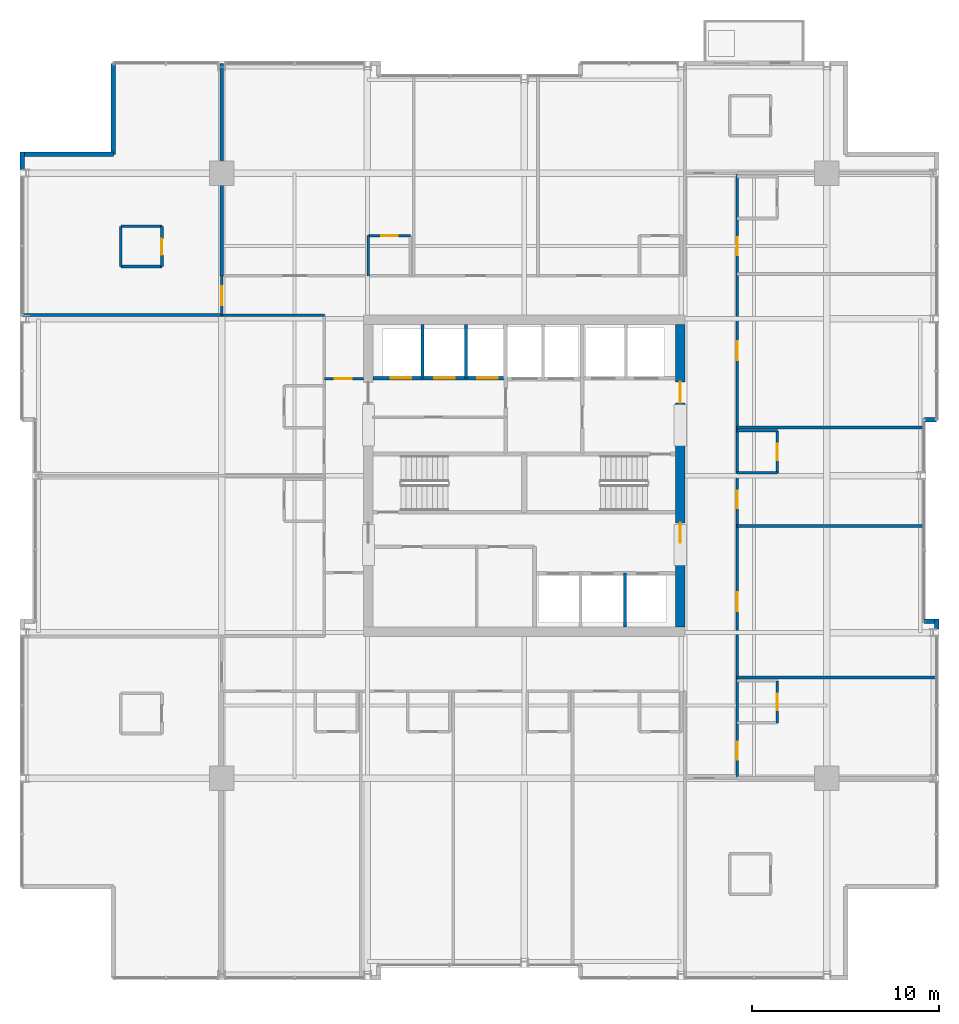
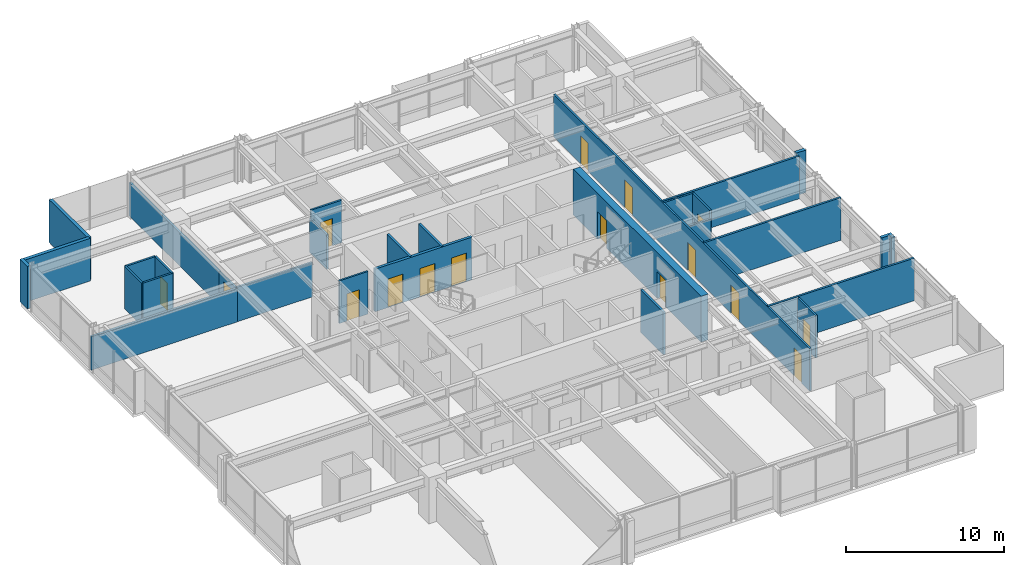
# One storey, part 29 of 33: 30 walls, 16 doors, 16 openings.
"""IFC4 building model written with IfcOpenShell, lengths in metres."""

from ifc_helpers import new_model, si_unit, direction, frame, frame_2d, origin, place, context, subcontext, project, spatial, rectangle, extrude, material, layer, layer_set, type_object, element, fill, save


model = new_model("IFC4")

# Units and contexts
model_context = context("Model", 3, precision=1e-05, world=origin(), true_north=direction((0.0, 1.0)))
body_context = subcontext(model_context, "Body", "Model", "MODEL_VIEW")
ifc_project = project(units=[si_unit("LENGTHUNIT", "METRE"), si_unit("AREAUNIT", "SQUARE_METRE"), si_unit("VOLUMEUNIT", "CUBIC_METRE"), si_unit("PLANEANGLEUNIT", "RADIAN"), si_unit("MASSUNIT", "GRAM", prefix="KILO")], contexts=[model_context])

# Site, building, storey
site_placement = place(None, origin())
site = spatial("IfcSite", under=ifc_project, at=site_placement, CompositionType="ELEMENT")
building_placement = place(site_placement, origin())
building = spatial("IfcBuilding", under=site, at=building_placement, Name="Drelvath Grand Hotel", CompositionType="ELEMENT")
storey_placement = place(building_placement, frame((0.0, 0.0, 178.800048828125)))
storey = spatial("IfcBuildingStorey", under=building, at=storey_placement, Name="L46", CompositionType="ELEMENT", Elevation=178.800048828125)

# Wall, openings, doors
ifc_material_1 = material(Name="Concrete C40/50", Category="concrete")
ifc_layer_1 = layer(ifc_material_1, 0.199951171875)
ifc_layer_set_1 = layer_set([ifc_layer_1], Name="Concrete C40/50")
wall_type_1 = type_object("IfcWallType", Name="Core Hoistway Fire Wall 200", PredefinedType="SOLIDWALL", material=ifc_layer_set_1)
wall_1_placement = place(storey_placement, frame((-8.10009765625, 32.219970703125, 0.0), z_axis=(0.0, 0.0, 1.0), x_axis=(1.0, 0.0, 0.0)))
wall_1 = element("IfcWall", 1, at=wall_1_placement, inside=storey, type_object=wall_type_1, Name="L46 Bank 3 Hoistway Wall", PredefinedType="SOLIDWALL", context=body_context, shape_type="SweptSolid", body=[
    extrude(rectangle(XDim=7.10009765625, YDim=0.199951171875, at=frame_2d((3.550048828125, 0.0))), origin(), (0.0, 0.0, 1.0), 3.2900390625),
])
opening_1_placement = place(wall_1_placement, frame((0.949951171875, 0.0, 0.0)))
opening_1 = element("IfcOpeningElement", 2, at=opening_1_placement, cuts=wall_1, Name="Opening LD-PE-7", PredefinedType="OPENING", context=body_context, shape_type="SweptSolid", body=[
    extrude(rectangle(XDim=1.10009765625, YDim=2.199951171875, at=frame_2d((0.550048828125, 1.10009765625))), frame((0.0, 0.10986328125, 0.0), z_axis=(0.0, -1.0, 0.0), x_axis=(1.0, 0.0, 0.0)), (0.0, 0.0, 1.0), 0.219970703125),
])
opening_2_placement = place(wall_1_placement, frame((3.27001953125, 0.0, 0.0)))
opening_2 = element("IfcOpeningElement", 3, at=opening_2_placement, cuts=wall_1, Name="Opening LD-PE-8", PredefinedType="OPENING", context=body_context, shape_type="SweptSolid", body=[
    extrude(rectangle(XDim=1.10009765625, YDim=2.199951171875, at=frame_2d((0.550048828125, 1.10009765625))), frame((0.0, 0.10986328125, 0.0), z_axis=(0.0, -1.0, 0.0), x_axis=(1.0, 0.0, 0.0)), (0.0, 0.0, 1.0), 0.219970703125),
])
opening_3_placement = place(wall_1_placement, frame((5.590087890625, 0.0, 0.0)))
opening_3 = element("IfcOpeningElement", 4, at=opening_3_placement, cuts=wall_1, Name="Opening LD-PE-9", PredefinedType="OPENING", context=body_context, shape_type="SweptSolid", body=[
    extrude(rectangle(XDim=1.10009765625, YDim=2.199951171875, at=frame_2d((0.550048828125, 1.10009765625))), frame((0.0, 0.10986328125, 0.0), z_axis=(0.0, -1.0, 0.0), x_axis=(1.0, 0.0, 0.0)), (0.0, 0.0, 1.0), 0.219970703125),
])
ifc_material_2 = material(Name="Stainless Steel S355", Category="steel")
door_type_1 = type_object("IfcDoorType", Name="Passenger Lift Sliding Landing Door 1100x2200", OperationType="NOTDEFINED", PredefinedType="DOOR", material=ifc_material_2)
door_1_placement = place(opening_1_placement, origin())
door_1 = element("IfcDoor", 5, at=door_1_placement, inside=storey, type_object=door_type_1, Name="L46 Lift PE-7 Landing Door", OperationType="SLIDING_TO_LEFT", OverallHeight=2.199951171875, OverallWidth=1.10009765625, PredefinedType="DOOR", context=body_context, shape_type="SweptSolid", body=[
    extrude(rectangle(XDim=1.10009765625, YDim=2.199951171875, at=frame_2d((0.550048828125, 1.10009765625))), frame((0.0, 0.02490234375, 0.0), z_axis=(0.0, -1.0, 0.0), x_axis=(1.0, 0.0, 0.0)), (0.0, 0.0, 1.0), 0.050048828125),
])
fill(opening_1, door_1)
door_2_placement = place(opening_2_placement, origin())
door_2 = element("IfcDoor", 6, at=door_2_placement, inside=storey, type_object=door_type_1, Name="L46 Lift PE-8 Landing Door", OperationType="SLIDING_TO_LEFT", OverallHeight=2.199951171875, OverallWidth=1.10009765625, PredefinedType="DOOR", context=body_context, shape_type="SweptSolid", body=[
    extrude(rectangle(XDim=1.10009765625, YDim=2.199951171875, at=frame_2d((0.550048828125, 1.10009765625))), frame((0.0, 0.02490234375, 0.0), z_axis=(0.0, -1.0, 0.0), x_axis=(1.0, 0.0, 0.0)), (0.0, 0.0, 1.0), 0.050048828125),
])
fill(opening_2, door_2)
door_3_placement = place(opening_3_placement, origin())
door_3 = element("IfcDoor", 7, at=door_3_placement, inside=storey, type_object=door_type_1, Name="L46 Lift PE-9 Landing Door", OperationType="SLIDING_TO_LEFT", OverallHeight=2.199951171875, OverallWidth=1.10009765625, PredefinedType="DOOR", context=body_context, shape_type="SweptSolid", body=[
    extrude(rectangle(XDim=1.10009765625, YDim=2.199951171875, at=frame_2d((0.550048828125, 1.10009765625))), frame((0.0, 0.02490234375, 0.0), z_axis=(0.0, -1.0, 0.0), x_axis=(1.0, 0.0, 0.0)), (0.0, 0.0, 1.0), 0.050048828125),
])
fill(opening_3, door_3)

# Walls
ifc_material_3 = material(Name="Gypsum Fireboard Partition")
ifc_layer_2 = layer(ifc_material_3, 0.1650390625)
ifc_layer_set_2 = layer_set([ifc_layer_2], Name="Gypsum Fireboard Partition")
wall_type_2 = type_object("IfcWallType", Name="Core Shaft Partition 165", PredefinedType="PARTITIONING", material=ifc_layer_set_2)
for number, where, z_axis, x_axis, name in (
    (8, (-5.43994140625, 32.219970703125, 0.0), (0.0, 0.0, 1.0), (0.0, 1.0, 0.0), "L46 Lift PE-7/8 Divider"),
    (9, (-3.1201171875, 32.219970703125, 0.0), (0.0, 0.0, 1.0), (0.0, 1.0, 0.0), "L46 Lift PE-8/9 Divider"),
    (10, (5.39990234375, 18.89990234375, 0.0), (0.0, 0.0, 1.0), (0.0, 1.0, 0.0), "L46 Lift PE-5/6 Divider"),
):
    element("IfcWall", number, at=place(storey_placement, frame(where, z_axis=z_axis, x_axis=x_axis)), inside=storey, type_object=wall_type_2, Name=name, PredefinedType="PARTITIONING", context=body_context, shape_type="SweptSolid", body=[
        extrude(rectangle(XDim=2.880126953125, YDim=0.1650390625, at=frame_2d((1.43994140625, 0.0))), origin(), (0.0, 0.0, 1.0), 3.2900390625),
    ])

# Wall, opening, door
ifc_layer_3 = layer(ifc_material_3, 0.135009765625)
ifc_layer_set_3 = layer_set([ifc_layer_3], Name="Gypsum Fireboard Partition")
wall_type_3 = type_object("IfcWallType", Name="Corridor Fire Barrier Wall 135", PredefinedType="PARTITIONING", material=ifc_layer_set_3)
wall_2_placement = place(storey_placement, frame((-10.699951171875, 32.199951171875, 0.0), z_axis=(0.0, 0.0, 1.0), x_axis=(1.0, 0.0, 0.0)))
wall_2 = element("IfcWall", 11, at=wall_2_placement, inside=storey, type_object=wall_type_3, Name="L46 West Foyer North Wall", PredefinedType="PARTITIONING", context=body_context, shape_type="SweptSolid", body=[
    extrude(rectangle(XDim=2.099853515625, YDim=0.135009765625, at=frame_2d((1.0498046875, 0.0))), origin(), (0.0, 0.0, 1.0), 3.2900390625),
])
opening_4_placement = place(wall_2_placement, frame((0.550048828125, 0.0, 0.0)))
opening_4 = element("IfcOpeningElement", 12, at=opening_4_placement, cuts=wall_2, Name="Opening D-T3G3-023", PredefinedType="OPENING", context=body_context, shape_type="SweptSolid", body=[
    extrude(rectangle(XDim=0.919921875, YDim=2.10009765625, at=frame_2d((0.4599609375, 1.050048828125))), frame((0.0, 0.077392578125, 0.0), z_axis=(0.0, -1.0, 0.0), x_axis=(1.0, 0.0, 0.0)), (0.0, 0.0, 1.0), 0.155029296875),
])
ifc_material_4 = material(Name="Painted Steel S275", Category="steel")
door_type_2 = type_object("IfcDoorType", Name="Staff Utility Door 920x2100", OperationType="NOTDEFINED", PredefinedType="DOOR", material=ifc_material_4)
door_4_placement = place(opening_4_placement, origin())
door_4 = element("IfcDoor", 13, at=door_4_placement, inside=storey, type_object=door_type_2, Name="L46 West Pantry Door", OperationType="SINGLE_SWING_LEFT", OverallHeight=2.10009765625, OverallWidth=0.919921875, PredefinedType="DOOR", context=body_context, shape_type="SweptSolid", body=[
    extrude(rectangle(XDim=0.919921875, YDim=2.10009765625, at=frame_2d((0.4599609375, 1.050048828125))), frame((0.0, 0.02490234375, 0.0), z_axis=(0.0, -1.0, 0.0), x_axis=(1.0, 0.0, 0.0)), (0.0, 0.0, 1.0), 0.050048828125),
])
fill(opening_4, door_4)

# Wall
wall_3_placement = place(storey_placement, frame((-16.199951171875, 35.60009765625, 0.0), z_axis=(0.0, 0.0, 1.0), x_axis=(1.0, 0.0, 0.0)))
element("IfcWall", 14, at=wall_3_placement, inside=storey, type_object=wall_type_3, Name="L46 NW Stub South Wall", PredefinedType="PARTITIONING", context=body_context, shape_type="SweptSolid", body=[
    extrude(rectangle(XDim=5.5, YDim=0.135009765625, at=frame_2d((2.75, 0.0))), origin(), (0.0, 0.0, 1.0), 2.667236328125),
])

# Wall, openings, doors
wall_4_placement = place(storey_placement, frame((11.39990234375, 10.800048828125, 0.0), z_axis=(0.0, 0.0, 1.0), x_axis=(0.0, 1.0, 0.0)))
wall_4 = element("IfcWall", 15, at=wall_4_placement, inside=storey, type_object=wall_type_3, Name="L46 East Spine Corridor Wall", PredefinedType="PARTITIONING", context=body_context, shape_type="SweptSolid", body=[
    extrude(rectangle(XDim=32.39990234375, YDim=0.135009765625, at=frame_2d((16.199951171875, 0.0))), origin(), (0.0, 0.0, 1.0), 3.2900390625),
])
opening_5_placement = place(wall_4_placement, frame((1.0048828125, 0.0, 0.0)))
opening_5 = element("IfcOpeningElement", 16, at=opening_5_placement, cuts=wall_4, Name="Opening D-T3G3-046", PredefinedType="OPENING", context=body_context, shape_type="SweptSolid", body=[
    extrude(rectangle(XDim=0.9599609375, YDim=2.14990234375, at=frame_2d((0.47998046875, 1.074951171875))), frame((0.0, 0.077392578125, 0.0), z_axis=(0.0, -1.0, 0.0), x_axis=(1.0, 0.0, 0.0)), (0.0, 0.0, 1.0), 0.155029296875),
])
opening_6_placement = place(wall_4_placement, frame((8.93994140625, 0.0, 0.0)))
opening_6 = element("IfcOpeningElement", 17, at=opening_6_placement, cuts=wall_4, Name="Opening D-T3G3-047", PredefinedType="OPENING", context=body_context, shape_type="SweptSolid", body=[
    extrude(rectangle(XDim=1.02001953125, YDim=2.14990234375, at=frame_2d((0.510009765625, 1.074951171875))), frame((0.0, 0.077392578125, 0.0), z_axis=(0.0, -1.0, 0.0), x_axis=(1.0, 0.0, 0.0)), (0.0, 0.0, 1.0), 0.155029296875),
])
opening_7_placement = place(wall_4_placement, frame((14.445068359375, 0.0, 0.0)))
opening_7 = element("IfcOpeningElement", 18, at=opening_7_placement, cuts=wall_4, Name="Opening D-T3G3-049", PredefinedType="OPENING", context=body_context, shape_type="SweptSolid", body=[
    extrude(rectangle(XDim=0.9599609375, YDim=2.14990234375, at=frame_2d((0.47998046875, 1.074951171875))), frame((0.0, 0.077392578125, 0.0), z_axis=(0.0, -1.0, 0.0), x_axis=(1.0, 0.0, 0.0)), (0.0, 0.0, 1.0), 0.155029296875),
])
opening_8_placement = place(wall_4_placement, frame((22.3798828125, 0.0, 0.0)))
opening_8 = element("IfcOpeningElement", 19, at=opening_8_placement, cuts=wall_4, Name="Opening D-T3G3-050", PredefinedType="OPENING", context=body_context, shape_type="SweptSolid", body=[
    extrude(rectangle(XDim=1.02001953125, YDim=2.14990234375, at=frame_2d((0.510009765625, 1.074951171875))), frame((0.0, 0.077392578125, 0.0), z_axis=(0.0, -1.0, 0.0), x_axis=(1.0, 0.0, 0.0)), (0.0, 0.0, 1.0), 0.155029296875),
])
opening_9_placement = place(wall_4_placement, frame((28.0048828125, 0.0, 0.0)))
opening_9 = element("IfcOpeningElement", 20, at=opening_9_placement, cuts=wall_4, Name="Opening D-T3G3-052", PredefinedType="OPENING", context=body_context, shape_type="SweptSolid", body=[
    extrude(rectangle(XDim=0.9599609375, YDim=2.14990234375, at=frame_2d((0.47998046875, 1.074951171875))), frame((0.0, 0.077392578125, 0.0), z_axis=(0.0, -1.0, 0.0), x_axis=(1.0, 0.0, 0.0)), (0.0, 0.0, 1.0), 0.155029296875),
])
ifc_material_5 = material(Name="Hardwood Walnut Timber", Category="wood")
door_type_3 = type_object("IfcDoorType", Name="Amenity Meeting Fire Door 1020x2150", OperationType="NOTDEFINED", PredefinedType="DOOR", material=ifc_material_5)
door_5_placement = place(opening_6_placement, origin())
door_5 = element("IfcDoor", 21, at=door_5_placement, inside=storey, type_object=door_type_3, Name="L46 Private Study Room Entry Door", OperationType="SINGLE_SWING_LEFT", OverallHeight=2.14990234375, OverallWidth=1.02001953125, PredefinedType="DOOR", context=body_context, shape_type="SweptSolid", body=[
    extrude(rectangle(XDim=1.02001953125, YDim=2.14990234375, at=frame_2d((0.510009765625, 1.074951171875))), frame((0.0, 0.02490234375, 0.0), z_axis=(0.0, -1.0, 0.0), x_axis=(1.0, 0.0, 0.0)), (0.0, 0.0, 1.0), 0.050048828125),
])
fill(opening_6, door_5)
door_6_placement = place(opening_8_placement, origin())
door_6 = element("IfcDoor", 22, at=door_6_placement, inside=storey, type_object=door_type_3, Name="L46 Guest Relations Office Entry Door", OperationType="SINGLE_SWING_RIGHT", OverallHeight=2.14990234375, OverallWidth=1.02001953125, PredefinedType="DOOR", context=body_context, shape_type="SweptSolid", body=[
    extrude(rectangle(XDim=1.02001953125, YDim=2.14990234375, at=frame_2d((0.510009765625, 1.074951171875))), frame((0.0, 0.02490234375, 0.0), z_axis=(0.0, -1.0, 0.0), x_axis=(1.0, 0.0, 0.0)), (0.0, 0.0, 1.0), 0.050048828125),
])
fill(opening_8, door_6)
door_type_4 = type_object("IfcDoorType", Name="Guestroom Entrance Fire Door 960x2150", OperationType="NOTDEFINED", PredefinedType="DOOR", material=ifc_material_5)
door_7_placement = place(opening_5_placement, origin())
door_7 = element("IfcDoor", 23, at=door_7_placement, inside=storey, type_object=door_type_4, Name="L46 King Guest Room Entry Door", OperationType="SINGLE_SWING_RIGHT", OverallHeight=2.14990234375, OverallWidth=0.9599609375, PredefinedType="DOOR", context=body_context, shape_type="SweptSolid", body=[
    extrude(rectangle(XDim=0.9599609375, YDim=2.14990234375, at=frame_2d((0.47998046875, 1.074951171875))), frame((0.0, 0.02490234375, 0.0), z_axis=(0.0, -1.0, 0.0), x_axis=(1.0, 0.0, 0.0)), (0.0, 0.0, 1.0), 0.050048828125),
])
fill(opening_5, door_7)
door_8_placement = place(opening_7_placement, origin())
door_8 = element("IfcDoor", 24, at=door_8_placement, inside=storey, type_object=door_type_4, Name="L46 King Guest Room Entry Door", OperationType="SINGLE_SWING_LEFT", OverallHeight=2.14990234375, OverallWidth=0.9599609375, PredefinedType="DOOR", context=body_context, shape_type="SweptSolid", body=[
    extrude(rectangle(XDim=0.9599609375, YDim=2.14990234375, at=frame_2d((0.47998046875, 1.074951171875))), frame((0.0, 0.02490234375, 0.0), z_axis=(0.0, -1.0, 0.0), x_axis=(1.0, 0.0, 0.0)), (0.0, 0.0, 1.0), 0.050048828125),
])
fill(opening_7, door_8)
door_9_placement = place(opening_9_placement, origin())
door_9 = element("IfcDoor", 25, at=door_9_placement, inside=storey, type_object=door_type_4, Name="L46 King Guest Room Entry Door", OperationType="SINGLE_SWING_RIGHT", OverallHeight=2.14990234375, OverallWidth=0.9599609375, PredefinedType="DOOR", context=body_context, shape_type="SweptSolid", body=[
    extrude(rectangle(XDim=0.9599609375, YDim=2.14990234375, at=frame_2d((0.47998046875, 1.074951171875))), frame((0.0, 0.02490234375, 0.0), z_axis=(0.0, -1.0, 0.0), x_axis=(1.0, 0.0, 0.0)), (0.0, 0.0, 1.0), 0.050048828125),
])
fill(opening_9, door_9)

# Wall, opening, door
wall_5_placement = place(storey_placement, frame((-16.199951171875, 35.60009765625, 0.0), z_axis=(0.0, 0.0, 1.0), x_axis=(0.0, 1.0, 0.0)))
wall_5 = element("IfcWall", 26, at=wall_5_placement, inside=storey, type_object=wall_type_3, Name="L46 North Stub West End", PredefinedType="PARTITIONING", context=body_context, shape_type="SweptSolid", body=[
    extrude(rectangle(XDim=2.099853515625, YDim=0.135009765625, at=frame_2d((1.0498046875, 0.0))), origin(), (0.0, 0.0, 1.0), 2.57958984375),
])
opening_10_placement = place(wall_5_placement, frame((0.52001953125, 0.0, 0.0)))
opening_10 = element("IfcOpeningElement", 27, at=opening_10_placement, cuts=wall_5, Name="Opening D-T3G3-027", PredefinedType="OPENING", context=body_context, shape_type="SweptSolid", body=[
    extrude(rectangle(XDim=1.02001953125, YDim=2.14990234375, at=frame_2d((0.510009765625, 1.074951171875))), frame((0.0, 0.077392578125, 0.0), z_axis=(0.0, -1.0, 0.0), x_axis=(1.0, 0.0, 0.0)), (0.0, 0.0, 1.0), 0.155029296875),
])
door_10_placement = place(opening_10_placement, origin())
door_10 = element("IfcDoor", 28, at=door_10_placement, inside=storey, type_object=door_type_3, Name="L46 Executive Suite Entry Door", OperationType="SINGLE_SWING_LEFT", OverallHeight=2.14990234375, OverallWidth=1.02001953125, PredefinedType="DOOR", context=body_context, shape_type="SweptSolid", body=[
    extrude(rectangle(XDim=1.02001953125, YDim=2.14990234375, at=frame_2d((0.510009765625, 1.074951171875))), frame((0.0, 0.02490234375, 0.0), z_axis=(0.0, -1.0, 0.0), x_axis=(1.0, 0.0, 0.0)), (0.0, 0.0, 1.0), 0.050048828125),
])
fill(opening_10, door_10)

# Walls
ifc_material_6 = material(Name="Moisture-Resistant Gypsum Board")
ifc_layer_4 = layer(ifc_material_6, 0.139892578125)
ifc_layer_set_4 = layer_set([ifc_layer_4], Name="Moisture-Resistant Gypsum Board")
wall_type_4 = type_object("IfcWallType", Name="En-Suite Plumbing Wall 140", PredefinedType="PLUMBINGWALL", material=ifc_layer_set_4)
for number, where, z_axis, x_axis, name in (
    (29, (-21.60009765625, 38.199951171875, 0.0), (0.0, 0.0, 1.0), (1.0, 0.0, 0.0), "L46 Corner En-Suite South"),
    (30, (-21.60009765625, 40.35009765625, 0.0), (0.0, 0.0, 1.0), (1.0, 0.0, 0.0), "L46 Corner En-Suite North"),
):
    element("IfcWall", number, at=place(storey_placement, frame(where, z_axis=z_axis, x_axis=x_axis)), inside=storey, type_object=wall_type_4, Name=name, PredefinedType="PLUMBINGWALL", context=body_context, shape_type="SweptSolid", body=[
        extrude(rectangle(XDim=2.2001953125, YDim=0.139892578125, at=frame_2d((1.10009765625, 0.0))), origin(), (0.0, 0.0, 1.0), 3.2900390625),
    ])
wall_6_placement = place(storey_placement, frame((-21.60009765625, 38.199951171875, 0.0), z_axis=(0.0, 0.0, 1.0), x_axis=(0.0, 1.0, 0.0)))
element("IfcWall", 31, at=wall_6_placement, inside=storey, type_object=wall_type_4, Name="L46 Corner En-Suite West", PredefinedType="PLUMBINGWALL", context=body_context, shape_type="SweptSolid", body=[
    extrude(rectangle(XDim=2.150146484375, YDim=0.139892578125, at=frame_2d((1.0751953125, 0.0))), origin(), (0.0, 0.0, 1.0), 3.2900390625),
])

# Wall, opening, door
wall_7_placement = place(storey_placement, frame((-19.39990234375, 38.199951171875, 0.0), z_axis=(0.0, 0.0, 1.0), x_axis=(0.0, 1.0, 0.0)))
wall_7 = element("IfcWall", 32, at=wall_7_placement, inside=storey, type_object=wall_type_4, Name="L46 Corner En-Suite East", PredefinedType="PLUMBINGWALL", context=body_context, shape_type="SweptSolid", body=[
    extrude(rectangle(XDim=2.150146484375, YDim=0.139892578125, at=frame_2d((1.0751953125, 0.0))), origin(), (0.0, 0.0, 1.0), 3.2900390625),
])
opening_11_placement = place(wall_7_placement, frame((0.6201171875, 0.0, 0.0)))
opening_11 = element("IfcOpeningElement", 33, at=opening_11_placement, cuts=wall_7, Name="Opening D-T3G3-026", PredefinedType="OPENING", context=body_context, shape_type="SweptSolid", body=[
    extrude(rectangle(XDim=0.8798828125, YDim=2.10009765625, at=frame_2d((0.43994140625, 1.050048828125))), frame((0.0, 0.079833984375, 0.0), z_axis=(0.0, -1.0, 0.0), x_axis=(1.0, 0.0, 0.0)), (0.0, 0.0, 1.0), 0.159912109375),
])
door_type_5 = type_object("IfcDoorType", Name="En-Suite Bathroom Door 880x2100", OperationType="NOTDEFINED", PredefinedType="DOOR", material=ifc_material_5)
door_11_placement = place(opening_11_placement, origin())
door_11 = element("IfcDoor", 34, at=door_11_placement, inside=storey, type_object=door_type_5, Name="L46 Corner En-Suite Door", OperationType="SINGLE_SWING_RIGHT", OverallHeight=2.10009765625, OverallWidth=0.8798828125, PredefinedType="DOOR", context=body_context, shape_type="SweptSolid", body=[
    extrude(rectangle(XDim=0.8798828125, YDim=2.10009765625, at=frame_2d((0.43994140625, 1.050048828125))), frame((0.0, 0.02490234375, 0.0), z_axis=(0.0, -1.0, 0.0), x_axis=(1.0, 0.0, 0.0)), (0.0, 0.0, 1.0), 0.050048828125),
])
fill(opening_11, door_11)

# Wall
wall_8_placement = place(storey_placement, frame((-8.34716796875, 37.699951171875, 0.0), z_axis=(0.0, 0.0, 1.0), x_axis=(0.0, 1.0, 0.0)))
element("IfcWall", 35, at=wall_8_placement, inside=storey, type_object=wall_type_4, Name="L46 En-Suite Left Wall", PredefinedType="PLUMBINGWALL", context=body_context, shape_type="SweptSolid", body=[
    extrude(rectangle(XDim=2.150146484375, YDim=0.139892578125, at=frame_2d((1.0751953125, 0.0))), origin(), (0.0, 0.0, 1.0), 2.667236328125),
])

# Wall, opening, door
wall_9_placement = place(storey_placement, frame((-8.34716796875, 39.85009765625, 0.0), z_axis=(0.0, 0.0, 1.0), x_axis=(1.0, 0.0, 0.0)))
wall_9 = element("IfcWall", 36, at=wall_9_placement, inside=storey, type_object=wall_type_4, Name="L46 En-Suite Front Wall", PredefinedType="PLUMBINGWALL", context=body_context, shape_type="SweptSolid", body=[
    extrude(rectangle(XDim=2.25, YDim=0.139892578125, at=frame_2d((1.125, 0.0))), origin(), (0.0, 0.0, 1.0), 3.2900390625),
])
opening_12_placement = place(wall_9_placement, frame((0.68505859375, 0.0, 0.0)))
opening_12 = element("IfcOpeningElement", 37, at=opening_12_placement, cuts=wall_9, Name="Opening D-T3G3-040", PredefinedType="OPENING", context=body_context, shape_type="SweptSolid", body=[
    extrude(rectangle(XDim=0.8798828125, YDim=2.10009765625, at=frame_2d((0.43994140625, 1.050048828125))), frame((0.0, 0.079833984375, 0.0), z_axis=(0.0, -1.0, 0.0), x_axis=(1.0, 0.0, 0.0)), (0.0, 0.0, 1.0), 0.159912109375),
])
door_12_placement = place(opening_12_placement, origin())
door_12 = element("IfcDoor", 38, at=door_12_placement, inside=storey, type_object=door_type_5, Name="L46 En-Suite Bathroom Door", OperationType="SINGLE_SWING_RIGHT", OverallHeight=2.10009765625, OverallWidth=0.8798828125, PredefinedType="DOOR", context=body_context, shape_type="SweptSolid", body=[
    extrude(rectangle(XDim=0.8798828125, YDim=2.10009765625, at=frame_2d((0.43994140625, 1.050048828125))), frame((0.0, 0.02490234375, 0.0), z_axis=(0.0, -1.0, 0.0), x_axis=(1.0, 0.0, 0.0)), (0.0, 0.0, 1.0), 0.050048828125),
])
fill(opening_12, door_12)

wall_10_placement = place(storey_placement, frame((13.550048828125, 13.77001953125, 0.0), z_axis=(0.0, 0.0, 1.0), x_axis=(0.0, 1.0, 0.0)))
wall_10 = element("IfcWall", 39, at=wall_10_placement, inside=storey, type_object=wall_type_4, Name="L46 En-Suite Front Wall", PredefinedType="PLUMBINGWALL", context=body_context, shape_type="SweptSolid", body=[
    extrude(rectangle(XDim=2.25, YDim=0.139892578125, at=frame_2d((1.125, 0.0))), origin(), (0.0, 0.0, 1.0), 3.2900390625),
])
opening_13_placement = place(wall_10_placement, frame((0.68505859375, 0.0, 0.0)))
opening_13 = element("IfcOpeningElement", 40, at=opening_13_placement, cuts=wall_10, Name="Opening D-T3G3-045", PredefinedType="OPENING", context=body_context, shape_type="SweptSolid", body=[
    extrude(rectangle(XDim=0.8798828125, YDim=2.10009765625, at=frame_2d((0.43994140625, 1.050048828125))), frame((0.0, 0.079833984375, 0.0), z_axis=(0.0, -1.0, 0.0), x_axis=(1.0, 0.0, 0.0)), (0.0, 0.0, 1.0), 0.159912109375),
])
door_13_placement = place(opening_13_placement, origin())
door_13 = element("IfcDoor", 41, at=door_13_placement, inside=storey, type_object=door_type_5, Name="L46 En-Suite Bathroom Door", OperationType="SINGLE_SWING_LEFT", OverallHeight=2.10009765625, OverallWidth=0.8798828125, PredefinedType="DOOR", context=body_context, shape_type="SweptSolid", body=[
    extrude(rectangle(XDim=0.8798828125, YDim=2.10009765625, at=frame_2d((0.43994140625, 1.050048828125))), frame((0.0, 0.02490234375, 0.0), z_axis=(0.0, -1.0, 0.0), x_axis=(1.0, 0.0, 0.0)), (0.0, 0.0, 1.0), 0.050048828125),
])
fill(opening_13, door_13)

# Walls
wall_11_placement = place(storey_placement, frame((11.39990234375, 27.14990234375, 0.0), z_axis=(0.0, 0.0, 1.0), x_axis=(1.0, 0.0, 0.0)))
element("IfcWall", 42, at=wall_11_placement, inside=storey, type_object=wall_type_4, Name="L46 En-Suite Left Wall", PredefinedType="PLUMBINGWALL", context=body_context, shape_type="SweptSolid", body=[
    extrude(rectangle(XDim=2.150146484375, YDim=0.139892578125, at=frame_2d((1.0751953125, 0.0))), origin(), (0.0, 0.0, 1.0), 2.667236328125),
])
wall_12_placement = place(storey_placement, frame((11.39990234375, 29.39990234375, 0.0), z_axis=(0.0, 0.0, 1.0), x_axis=(1.0, 0.0, 0.0)))
element("IfcWall", 43, at=wall_12_placement, inside=storey, type_object=wall_type_4, Name="L46 En-Suite Right Wall", PredefinedType="PLUMBINGWALL", context=body_context, shape_type="SweptSolid", body=[
    extrude(rectangle(XDim=2.150146484375, YDim=0.139892578125, at=frame_2d((1.0751953125, 0.0))), origin(), (0.0, 0.0, 1.0), 3.2900390625),
])

# Wall, opening, door
wall_13_placement = place(storey_placement, frame((13.550048828125, 27.14990234375, 0.0), z_axis=(0.0, 0.0, 1.0), x_axis=(0.0, 1.0, 0.0)))
wall_13 = element("IfcWall", 44, at=wall_13_placement, inside=storey, type_object=wall_type_4, Name="L46 En-Suite Front Wall", PredefinedType="PLUMBINGWALL", context=body_context, shape_type="SweptSolid", body=[
    extrude(rectangle(XDim=2.25, YDim=0.139892578125, at=frame_2d((1.125, 0.0))), origin(), (0.0, 0.0, 1.0), 3.2900390625),
])
opening_14_placement = place(wall_13_placement, frame((0.68505859375, 0.0, 0.0)))
opening_14 = element("IfcOpeningElement", 45, at=opening_14_placement, cuts=wall_13, Name="Opening D-T3G3-048", PredefinedType="OPENING", context=body_context, shape_type="SweptSolid", body=[
    extrude(rectangle(XDim=0.8798828125, YDim=2.10009765625, at=frame_2d((0.43994140625, 1.050048828125))), frame((0.0, 0.079833984375, 0.0), z_axis=(0.0, -1.0, 0.0), x_axis=(1.0, 0.0, 0.0)), (0.0, 0.0, 1.0), 0.159912109375),
])
door_14_placement = place(opening_14_placement, origin())
door_14 = element("IfcDoor", 46, at=door_14_placement, inside=storey, type_object=door_type_5, Name="L46 En-Suite Bathroom Door", OperationType="SINGLE_SWING_RIGHT", OverallHeight=2.10009765625, OverallWidth=0.8798828125, PredefinedType="DOOR", context=body_context, shape_type="SweptSolid", body=[
    extrude(rectangle(XDim=0.8798828125, YDim=2.10009765625, at=frame_2d((0.43994140625, 1.050048828125))), frame((0.0, 0.02490234375, 0.0), z_axis=(0.0, -1.0, 0.0), x_axis=(1.0, 0.0, 0.0)), (0.0, 0.0, 1.0), 0.050048828125),
])
fill(opening_14, door_14)

# Walls
ifc_material_7 = material(Name="Gypsum Acoustic Partition")
ifc_layer_5 = layer(ifc_material_7, 0.14990234375)
ifc_layer_set_5 = layer_set([ifc_layer_5], Name="Gypsum Acoustic Partition")
wall_type_5 = type_object("IfcWallType", Name="Guestroom Demising Wall 150", PredefinedType="PARTITIONING", material=ifc_layer_set_5)
wall_14_placement = place(storey_placement, frame((11.39990234375, 16.199951171875, 0.0), z_axis=(0.0, 0.0, 1.0), x_axis=(1.0, 0.0, 0.0)))
element("IfcWall", 47, at=wall_14_placement, inside=storey, type_object=wall_type_5, Name="L46 East Demising 1", PredefinedType="PARTITIONING", context=body_context, shape_type="SweptSolid", body=[
    extrude(rectangle(XDim=10.68017578125, YDim=0.14990234375, at=frame_2d((5.340087890625, 0.0))), origin(), (0.0, 0.0, 1.0), 3.2900390625),
])
for number, where, z_axis, x_axis, name in (
    (48, (11.39990234375, 24.300048828125, 0.0), (0.0, 0.0, 1.0), (1.0, 0.0, 0.0), "L46 East Demising 2"),
    (49, (11.39990234375, 29.580078125, 0.0), (0.0, 0.0, 1.0), (1.0, 0.0, 0.0), "L46 East Demising 3"),
):
    element("IfcWall", number, at=place(storey_placement, frame(where, z_axis=z_axis, x_axis=x_axis)), inside=storey, type_object=wall_type_5, Name=name, PredefinedType="PARTITIONING", context=body_context, shape_type="SweptSolid", body=[
        extrude(rectangle(XDim=10.0, YDim=0.14990234375, at=frame_2d((5.0, 0.0))), origin(), (0.0, 0.0, 1.0), 3.2900390625),
    ])
ifc_layer_6 = layer(ifc_material_7, 0.1650390625)
ifc_layer_set_6 = layer_set([ifc_layer_6], Name="Gypsum Acoustic Partition")
wall_type_6 = type_object("IfcWallType", Name="Suite Demising Wall 165", PredefinedType="PARTITIONING", material=ifc_layer_set_6)
wall_15_placement = place(storey_placement, frame((-16.199951171875, 37.699951171875, 0.0), z_axis=(0.0, 0.0, 1.0), x_axis=(0.0, 1.0, 0.0)))
element("IfcWall", 50, at=wall_15_placement, inside=storey, type_object=wall_type_6, Name="L46 NW Suite East Wall", PredefinedType="PARTITIONING", context=body_context, shape_type="SweptSolid", body=[
    extrude(rectangle(XDim=11.380126953125, YDim=0.1650390625, at=frame_2d((5.68994140625, 0.0))), origin(), (0.0, 0.0, 1.0), 2.57958984375),
])
wall_16_placement = place(storey_placement, frame((-26.8798828125, 35.60009765625, 0.0), z_axis=(0.0, 0.0, 1.0), x_axis=(1.0, 0.0, 0.0)))
element("IfcWall", 51, at=wall_16_placement, inside=storey, type_object=wall_type_6, Name="L46 NW Suite South Wall", PredefinedType="PARTITIONING", context=body_context, shape_type="SweptSolid", body=[
    extrude(rectangle(XDim=10.679931640625, YDim=0.1650390625, at=frame_2d((5.33984375, 0.0))), origin(), (0.0, 0.0, 1.0), 2.57958984375),
])
ifc_material_8 = material(Name="Pale-Metal Insulated Aluminium Spandrel Assembly", Category="aluminium")
ifc_layer_7 = layer(ifc_material_8, 0.239990234375)
ifc_layer_set_7 = layer_set([ifc_layer_7], Name="Pale-Metal Insulated Aluminium Spandrel Assembly")
wall_type_7 = type_object("IfcWallType", Name="Tower Insulated Metal Spandrel Closure Wall 240", PredefinedType="STANDARD", material=ifc_layer_set_7)
wall_17_placement = place(storey_placement, frame((-26.8798828125, 43.3916015625, 0.0), z_axis=(0.0, 0.0, 1.0), x_axis=(0.0, 1.0, 0.0)))
element("IfcWall", 52, at=wall_17_placement, inside=storey, type_object=wall_type_7, Name="L46 Corner Pier Spandrel Wall WN3", PredefinedType="STANDARD", context=body_context, shape_type="SweptSolid", body=[
    extrude(rectangle(XDim=0.928466796875, YDim=0.239990234375, at=frame_2d((0.46435546875, 0.0))), origin(), (0.0, 0.0, 1.0), 3.2900390625),
])
wall_18_placement = place(storey_placement, frame((22.080078125, 19.320068359375, 0.0), z_axis=(0.0, 0.0, 1.0), x_axis=(0.0, -1.0, 0.0)))
element("IfcWall", 53, at=wall_18_placement, inside=storey, type_object=wall_type_7, Name="L46 Corner Pier Spandrel Wall ES3", PredefinedType="STANDARD", context=body_context, shape_type="SweptSolid", body=[
    extrude(rectangle(XDim=0.5283203125, YDim=0.239990234375, at=frame_2d((0.26416015625, 0.0))), origin(), (0.0, 0.0, 1.0), 3.2900390625),
])
wall_19_placement = place(storey_placement, frame((-26.760009765625, 44.199951171875, 0.0), z_axis=(0.0, 0.0, 1.0), x_axis=(1.0, 0.0, 0.0)))
element("IfcWall", 54, at=wall_19_placement, inside=storey, type_object=wall_type_7, Name="L46 Notched Corner Return Spandrel Wall CNW1", PredefinedType="STANDARD", context=body_context, shape_type="SweptSolid", body=[
    extrude(rectangle(XDim=4.760009765625, YDim=0.239990234375, at=frame_2d((2.3798828125, 0.0))), origin(), (0.0, 0.0, 1.0), 3.2900390625),
])
wall_20_placement = place(storey_placement, frame((-22.0, 44.199951171875, 0.0), z_axis=(0.0, 0.0, 1.0), x_axis=(0.0, 1.0, 0.0)))
element("IfcWall", 55, at=wall_20_placement, inside=storey, type_object=wall_type_7, Name="L46 Notched Corner Return Spandrel Wall CNW2", PredefinedType="STANDARD", context=body_context, shape_type="SweptSolid", body=[
    extrude(rectangle(XDim=4.880126953125, YDim=0.239990234375, at=frame_2d((2.43994140625, 0.0))), origin(), (0.0, 0.0, 1.0), 3.2900390625),
])
wall_21_placement = place(storey_placement, frame((22.080078125, 30.0, 0.0), z_axis=(0.0, 0.0, 1.0), x_axis=(-1.0, 0.0, 0.0)))
element("IfcWall", 56, at=wall_21_placement, inside=storey, type_object=wall_type_7, Name="L46 Notched Corner Return Spandrel Wall RE1", PredefinedType="STANDARD", context=body_context, shape_type="SweptSolid", body=[
    extrude(rectangle(XDim=0.68017578125, YDim=0.239990234375, at=frame_2d((0.340087890625, 0.0))), origin(), (0.0, 0.0, 1.0), 3.2900390625),
])
wall_22_placement = place(storey_placement, frame((21.39990234375, 19.199951171875, 0.0), z_axis=(0.0, 0.0, 1.0), x_axis=(1.0, 0.0, 0.0)))
element("IfcWall", 57, at=wall_22_placement, inside=storey, type_object=wall_type_7, Name="L46 Notched Corner Return Spandrel Wall RE2", PredefinedType="STANDARD", context=body_context, shape_type="SweptSolid", body=[
    extrude(rectangle(XDim=0.56005859375, YDim=0.239990234375, at=frame_2d((0.280029296875, 0.0))), origin(), (0.0, 0.0, 1.0), 3.2900390625),
])

# Wall, openings, doors
ifc_material_9 = material(Name="Concrete f'c 55 MPa", Category="concrete")
ifc_layer_8 = layer(ifc_material_9, 0.5)
ifc_layer_set_8 = layer_set([ifc_layer_8], Name="Concrete f'c 55 MPa")
wall_type_8 = type_object("IfcWallType", Name="Upper Core RC Shear Wall 500", PredefinedType="SHEAR", material=ifc_layer_set_8)
wall_23_placement = place(storey_placement, frame((8.35009765625, 35.10009765625, 0.0), z_axis=(0.0, 0.0, 1.0), x_axis=(0.0, -1.0, 0.0)))
wall_23 = element("IfcWall", 58, at=wall_23_placement, inside=storey, type_object=wall_type_8, Name="L46 Central Core Shear Wall E", PredefinedType="SHEAR", context=body_context, shape_type="SweptSolid", body=[
    extrude(rectangle(XDim=16.2001953125, YDim=0.5, at=frame_2d((8.10009765625, 0.0))), origin(), (0.0, 0.0, 1.0), 3.550048828125),
])
opening_15_placement = place(wall_23_placement, frame((3.080078125, 0.0, 0.0)))
opening_15 = element("IfcOpeningElement", 59, at=opening_15_placement, cuts=wall_23, Name="Opening D-T3G3-006", PredefinedType="OPENING", context=body_context, shape_type="SweptSolid", body=[
    extrude(rectangle(XDim=1.1201171875, YDim=2.10009765625, at=frame_2d((0.56005859375, 1.050048828125))), frame((0.0, 0.260009765625, 0.0), z_axis=(0.0, -1.0, 0.0), x_axis=(1.0, 0.0, 0.0)), (0.0, 0.0, 1.0), 0.52001953125),
])
opening_16_placement = place(wall_23_placement, frame((10.6201171875, 0.0, 0.0)))
opening_16 = element("IfcOpeningElement", 60, at=opening_16_placement, cuts=wall_23, Name="Opening D-T3G3-019", PredefinedType="OPENING", context=body_context, shape_type="SweptSolid", body=[
    extrude(rectangle(XDim=1.080078125, YDim=2.0400390625, at=frame_2d((0.5400390625, 1.02001953125))), frame((0.0, 0.260009765625, 0.0), z_axis=(0.0, -1.0, 0.0), x_axis=(1.0, 0.0, 0.0)), (0.0, 0.0, 1.0), 0.52001953125),
])
door_type_6 = type_object("IfcDoorType", Name="Core Corridor Fire Door 1080x2100", OperationType="NOTDEFINED", PredefinedType="DOOR", material=ifc_material_4)
door_15_placement = place(opening_16_placement, origin())
door_15 = element("IfcDoor", 61, at=door_15_placement, inside=storey, type_object=door_type_6, Name="L46 Mid-Rise Lobby East Door", OperationType="SINGLE_SWING_LEFT", OverallHeight=2.0400390625, OverallWidth=1.080078125, PredefinedType="DOOR", context=body_context, shape_type="SweptSolid", body=[
    extrude(rectangle(XDim=1.080078125, YDim=2.0400390625, at=frame_2d((0.5400390625, 1.02001953125))), frame((0.0, 0.02490234375, 0.0), z_axis=(0.0, -1.0, 0.0), x_axis=(1.0, 0.0, 0.0)), (0.0, 0.0, 1.0), 0.050048828125),
])
fill(opening_16, door_15)
door_type_7 = type_object("IfcDoorType", Name="FSAE Smoke Lobby Fire Door 1120x2100", OperationType="NOTDEFINED", PredefinedType="DOOR", material=ifc_material_4)
door_16_placement = place(opening_15_placement, origin())
door_16 = element("IfcDoor", 62, at=door_16_placement, inside=storey, type_object=door_type_7, Name="L46 FSAE Lobby East Corridor Door", OperationType="SINGLE_SWING_LEFT", OverallHeight=2.10009765625, OverallWidth=1.1201171875, PredefinedType="DOOR", context=body_context, shape_type="SweptSolid", body=[
    extrude(rectangle(XDim=1.1201171875, YDim=2.10009765625, at=frame_2d((0.56005859375, 1.050048828125))), frame((0.0, 0.02490234375, 0.0), z_axis=(0.0, -1.0, 0.0), x_axis=(1.0, 0.0, 0.0)), (0.0, 0.0, 1.0), 0.050048828125),
])
fill(opening_15, door_16)

save(model, "model.ifc")
